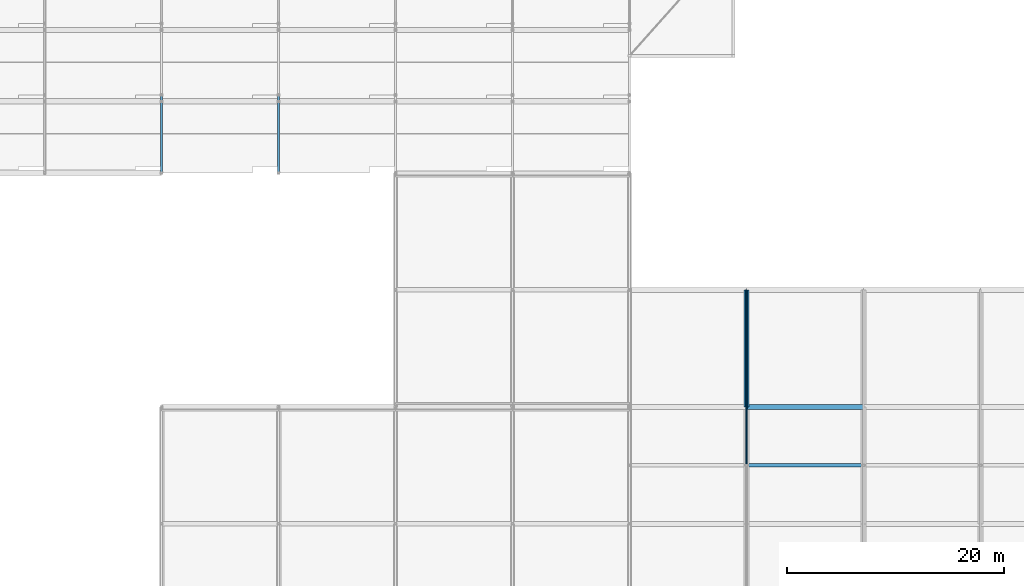
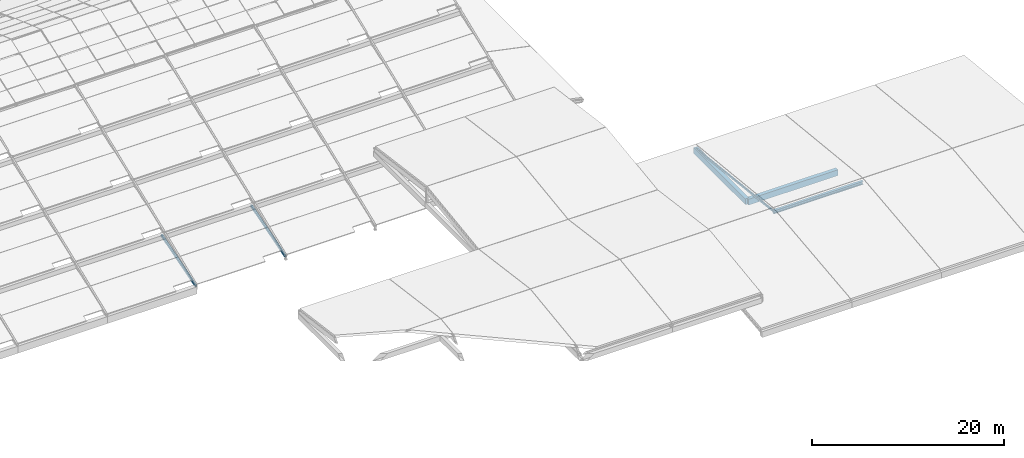
# One storey, part 55 of 112: 3 beams, 3 members.
"""IFC4 building model written with IfcOpenShell, lengths in metres."""

from ifc_helpers import new_model, si_unit, direction, frame, origin, origin_2d, place, context, subcontext, project, spatial, rectangle, hollow_rectangle, i_section, extrude, material, material_profile, profile_set, type_object, element, save


model = new_model("IFC4")

# Units and contexts
model_context = context("Model", 3, precision=1e-05, world=origin(), true_north=direction((0.0, 1.0)))
body_context = subcontext(model_context, "Body", "Model", "MODEL_VIEW")
ifc_project = project(units=[si_unit("LENGTHUNIT", "METRE"), si_unit("AREAUNIT", "SQUARE_METRE"), si_unit("VOLUMEUNIT", "CUBIC_METRE"), si_unit("PLANEANGLEUNIT", "RADIAN"), si_unit("MASSUNIT", "GRAM", prefix="KILO")], contexts=[model_context])

# Site, building, storey
site_placement = place(None, origin())
site = spatial("IfcSite", under=ifc_project, at=site_placement, CompositionType="ELEMENT")
building_placement = place(site_placement, origin())
building = spatial("IfcBuilding", under=site, at=building_placement, Name="Zwinboog Wholesale Market", CompositionType="ELEMENT")
storey_placement = place(building_placement, frame((0.0, 0.0, 19.080078125)))
storey = spatial("IfcBuildingStorey", under=building, at=storey_placement, Name="Roof", CompositionType="ELEMENT", Elevation=19.080078125)

# Beams
ifc_material_1 = material(Name="Precast concrete C45/55", Category="concrete")
ifc_material_profile_1 = material_profile(ifc_material_1, rectangle(XDim=0.449951171875, YDim=0.75, at=origin_2d()), Name="PC 450x750")
ifc_profile_set_1 = profile_set([ifc_material_profile_1], Name="Precast concrete C45/55")
beam_type_1 = type_object("IfcBeamType", Name="BT-04", PredefinedType="BEAM", material=ifc_profile_set_1)
for number, where, z_axis, x_axis, name in (
    (1, (183.60009765625, 21.60009765625, -4.695068359375), (1.0, 0.0, 0.0), (0.0, 1.0, 0.0), "BG-04 (BMG-Roof-1836-0216-1265)"),
    (2, (183.60009765625, 21.60009765625, -4.695068359375), (0.0, 1.0, 0.0), (-1.0, 0.0, 0.0), "BG-04 (BMG-Roof-1836-0216-1277)"),
):
    element("IfcBeam", number, at=place(storey_placement, frame(where, z_axis=z_axis, x_axis=x_axis)), inside=storey, type_object=beam_type_1, Name=name, PredefinedType="BEAM", context=body_context, shape_type="SweptSolid", body=[
        extrude(rectangle(XDim=0.449951171875, YDim=0.75, at=origin_2d()), origin(), (0.0, 0.0, 1.0), 10.7998046875),
    ])
ifc_material_2 = material(Name="Steel S355", Category="steel")
ifc_material_profile_2 = material_profile(ifc_material_2, i_section(OverallWidth=0.300048828125, OverallDepth=0.39990234375, WebThickness=0.013427734375, FlangeThickness=0.02392578125, FilletRadius=0.027099609375, at=origin_2d()), Name="HEB 400")
ifc_profile_set_2 = profile_set([ifc_material_profile_2], Name="Steel S355")
beam_type_2 = type_object("IfcBeamType", Name="BT-15", PredefinedType="BEAM", material=ifc_profile_set_2)
beam_placement = place(storey_placement, frame((183.60009765625, 16.199951171875, -2.760009765625), z_axis=(1.0, 0.0, 0.0), x_axis=(0.0, 1.0, 0.0)))
element("IfcBeam", 3, at=beam_placement, inside=storey, type_object=beam_type_2, Name="SB-02 (BMG-Roof-1836-0162-1320)", PredefinedType="BEAM", context=body_context, shape_type="SweptSolid", body=[
    extrude(i_section(OverallWidth=0.300048828125, OverallDepth=0.39990234375, WebThickness=0.013427734375, FlangeThickness=0.02392578125, FilletRadius=0.027099609375, at=origin_2d()), origin(), (0.0, 0.0, 1.0), 10.7998046875),
])

# Members
ifc_material_profile_3 = material_profile(ifc_material_2, hollow_rectangle(XDim=0.199951171875, YDim=0.300048828125, WallThickness=0.012451171875, InnerFilletRadius=0.012451171875, OuterFilletRadius=0.02490234375, at=origin_2d()), Name="RHS 300x200x12.5")
ifc_profile_set_3 = profile_set([ifc_material_profile_3], Name="Steel S355")
member_type_1 = type_object("IfcMemberType", Name="MT-01", PredefinedType="CHORD", material=ifc_profile_set_3)
for number, where, z_axis, x_axis, name in (
    (4, (129.60009765625, 43.199951171875, -9.7001953125), (0.0, 0.958185911438, 0.286146394562), (-1.0, 0.0, 0.0), "DC-01 (MEM-Roof-0184)"),
    (5, (140.39990234375, 43.199951171875, -9.7001953125), (0.0, 0.958185911438, 0.286146394562), (-1.0, 0.0, 0.0), "DC-01 (MEM-Roof-0214)"),
):
    element("IfcMember", number, at=place(storey_placement, frame(where, z_axis=z_axis, x_axis=x_axis)), inside=storey, type_object=member_type_1, Name=name, PredefinedType="CHORD", context=body_context, shape_type="SweptSolid", body=[
        extrude(hollow_rectangle(XDim=0.199951171875, YDim=0.300048828125, WallThickness=0.012451171875, InnerFilletRadius=0.012451171875, OuterFilletRadius=0.02490234375, at=origin_2d()), origin(), (0.0, 0.0, 1.0), 7.51416015625),
    ])
ifc_material_profile_4 = material_profile(ifc_material_2, hollow_rectangle(XDim=0.14990234375, YDim=0.25, WallThickness=0.010009765625, InnerFilletRadius=0.010009765625, OuterFilletRadius=0.02001953125, at=origin_2d()), Name="RHS 250x150x10")
ifc_profile_set_4 = profile_set([ifc_material_profile_4], Name="Steel S355")
member_type_2 = type_object("IfcMemberType", Name="MT-02", PredefinedType="CHORD", material=ifc_profile_set_4)
member_placement = place(storey_placement, frame((183.60009765625, 32.39990234375, -4.469970703125), z_axis=(0.0, -0.993612545096, 0.11284551488), x_axis=(1.0, 0.0, 0.0)))
element("IfcMember", 6, at=member_placement, inside=storey, type_object=member_type_2, Name="DC-02 (MEM-Roof-0889)", PredefinedType="CHORD", context=body_context, shape_type="SweptSolid", body=[
    extrude(hollow_rectangle(XDim=0.14990234375, YDim=0.25, WallThickness=0.010009765625, InnerFilletRadius=0.010009765625, OuterFilletRadius=0.02001953125, at=origin_2d()), origin(), (0.0, 0.0, 1.0), 16.30419921875),
])

save(model, "model.ifc")
